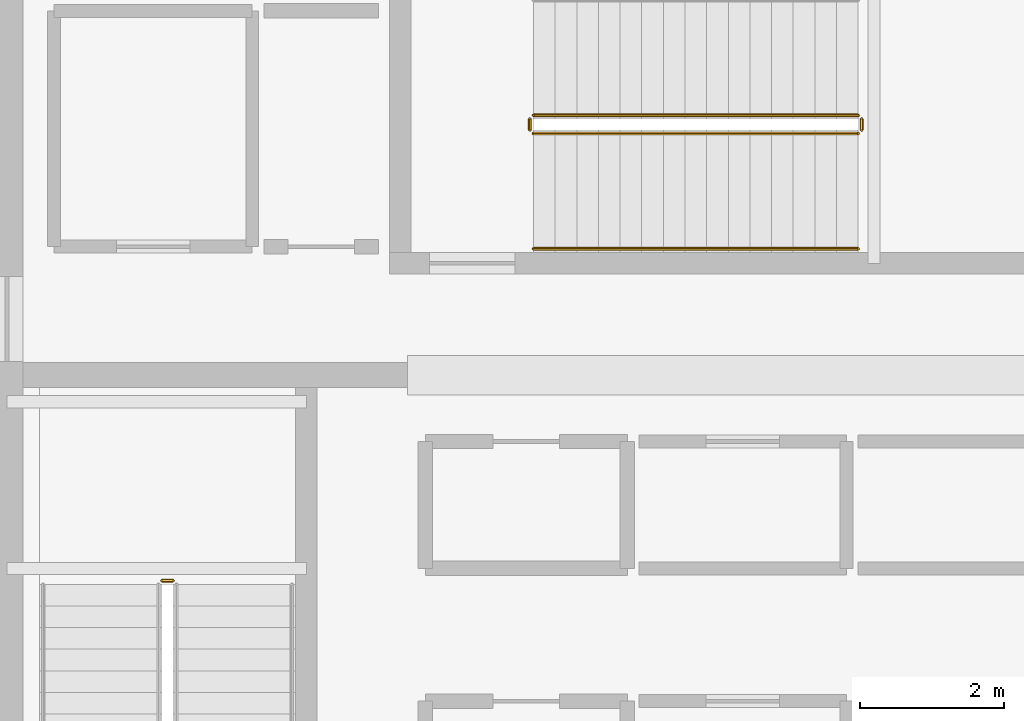
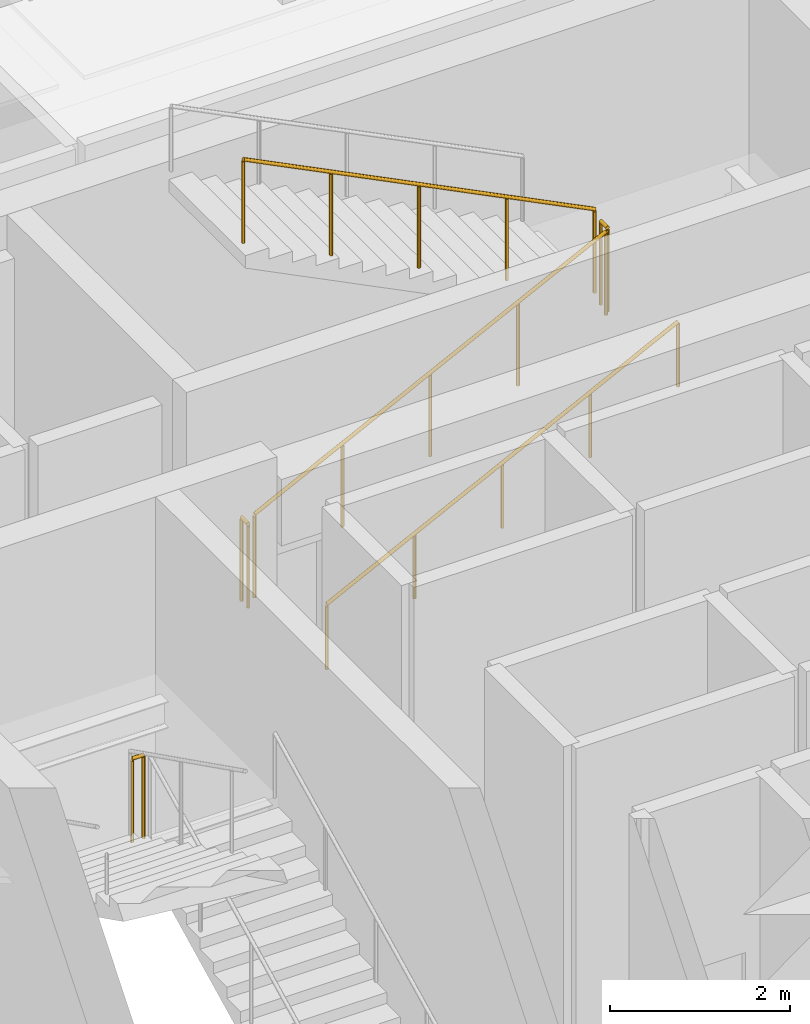
# One storey, part 43 of 45: 6 railings.
"""IFC4 building model written with IfcOpenShell, lengths in metres."""

from ifc_helpers import new_model, si_unit, direction, frame, origin, origin_2d, place, context, subcontext, project, spatial, circle, extrude, material, type_object, element, save


model = new_model("IFC4")

# Units and contexts
model_context = context("Model", 3, precision=1e-05, world=origin(), true_north=direction((0.0, 1.0)))
body_context = subcontext(model_context, "Body", "Model", "MODEL_VIEW")
ifc_project = project(units=[si_unit("LENGTHUNIT", "METRE"), si_unit("AREAUNIT", "SQUARE_METRE"), si_unit("VOLUMEUNIT", "CUBIC_METRE"), si_unit("PLANEANGLEUNIT", "RADIAN"), si_unit("MASSUNIT", "GRAM", prefix="KILO")], contexts=[model_context])

# Site, building, storey
site_placement = place(None, origin())
site = spatial("IfcSite", under=ifc_project, at=site_placement, CompositionType="ELEMENT")
building_placement = place(site_placement, origin())
building = spatial("IfcBuilding", under=site, at=building_placement, Name="Punatoya Terracotta Tower", CompositionType="ELEMENT")
storey_placement = place(building_placement, frame((0.0, 0.0, 339.0)))
storey = spatial("IfcBuildingStorey", under=building, at=storey_placement, Name="L80", CompositionType="ELEMENT", Elevation=339.0)

# Railings
ifc_material = material(Name="Steel S355", Category="steel")
railing_type_1 = type_object("IfcRailingType", Name="RLG-GRD-1150", PredefinedType="GUARDRAIL", material=ifc_material)
railing_1_placement = place(storey_placement, frame((-7.89990234375, 0.75, 2.39990234375)))
element("IfcRailing", 1, at=railing_1_placement, inside=storey, type_object=railing_type_1, Name="L80 ST-1 stair guard 2", PredefinedType="GUARDRAIL", context=body_context, shape_type="SweptSolid", body=[
    extrude(circle(Radius=0.02392578125, at=origin_2d()), frame((0.0, 0.0, 1.1259765625), z_axis=(-1.0, 0.0, 0.0), x_axis=(0.0, -1.0, 0.0)), (0.0, 0.0, 1.0), 0.150146484375),
    extrude(circle(Radius=0.02099609375, at=origin_2d()), origin(), (0.0, 0.0, 1.0), 1.101806640625),
    extrude(circle(Radius=0.02099609375, at=origin_2d()), frame((-0.150146484375, 0.0, 0.0)), (0.0, 0.0, 1.0), 1.101806640625),
])
railing_2_placement = place(storey_placement, frame((-2.89990234375, 6.949951171875, 0.14990234375)))
element("IfcRailing", 2, at=railing_2_placement, inside=storey, type_object=railing_type_1, Name="L80 ST-3 stair guard 1", PredefinedType="GUARDRAIL", context=body_context, shape_type="SweptSolid", body=[
    extrude(circle(Radius=0.02392578125, at=origin_2d()), frame((0.0, 0.0, 1.1259765625), z_axis=(0.894427191, 0.0, 0.4472135955), x_axis=(0.0, 1.0, 0.0)), (0.0, 0.0, 1.0), 5.03125),
    extrude(circle(Radius=0.02099609375, at=origin_2d()), origin(), (0.0, 0.0, 1.0), 1.101806640625),
    extrude(circle(Radius=0.02099609375, at=origin_2d()), frame((1.125, 0.0, 0.5625)), (0.0, 0.0, 1.0), 1.101806640625),
    extrude(circle(Radius=0.02099609375, at=origin_2d()), frame((2.25, 0.0, 1.125)), (0.0, 0.0, 1.0), 1.101806640625),
    extrude(circle(Radius=0.02099609375, at=origin_2d()), frame((3.375, 0.0, 1.6875)), (0.0, 0.0, 1.0), 1.101806640625),
    extrude(circle(Radius=0.02099609375, at=origin_2d()), frame((4.5, 0.0, 2.25)), (0.0, 0.0, 1.0), 1.101806640625),
])
railing_3_placement = place(storey_placement, frame((1.64990234375, 7.0, 2.39990234375)))
element("IfcRailing", 3, at=railing_3_placement, inside=storey, type_object=railing_type_1, Name="L80 ST-3 stair guard 2", PredefinedType="GUARDRAIL", context=body_context, shape_type="SweptSolid", body=[
    extrude(circle(Radius=0.02392578125, at=origin_2d()), frame((0.0, 0.0, 1.1259765625), z_axis=(0.0, 1.0, 0.0), x_axis=(-1.0, 0.0, 0.0)), (0.0, 0.0, 1.0), 0.14990234375),
    extrude(circle(Radius=0.02099609375, at=origin_2d()), origin(), (0.0, 0.0, 1.0), 1.101806640625),
    extrude(circle(Radius=0.02099609375, at=origin_2d()), frame((0.0, 0.14990234375, 0.0)), (0.0, 0.0, 1.0), 1.101806640625),
])
railing_4_placement = place(storey_placement, frame((1.60009765625, 7.199951171875, 2.550048828125)))
element("IfcRailing", 4, at=railing_4_placement, inside=storey, type_object=railing_type_1, Name="L80 ST-3 stair guard 3", PredefinedType="GUARDRAIL", context=body_context, shape_type="SweptSolid", body=[
    extrude(circle(Radius=0.02392578125, at=origin_2d()), frame((0.0, 0.0, 1.1259765625), z_axis=(-0.894427191, 0.0, 0.4472135955), x_axis=(0.0, -1.0, 0.0)), (0.0, 0.0, 1.0), 5.03125),
    extrude(circle(Radius=0.02099609375, at=origin_2d()), origin(), (0.0, 0.0, 1.0), 1.101806640625),
    extrude(circle(Radius=0.02099609375, at=origin_2d()), frame((-1.125, 0.0, 0.5625)), (0.0, 0.0, 1.0), 1.101806640625),
    extrude(circle(Radius=0.02099609375, at=origin_2d()), frame((-2.25, 0.0, 1.125)), (0.0, 0.0, 1.0), 1.101806640625),
    extrude(circle(Radius=0.02099609375, at=origin_2d()), frame((-3.375, 0.0, 1.6875)), (0.0, 0.0, 1.0), 1.101806640625),
    extrude(circle(Radius=0.02099609375, at=origin_2d()), frame((-4.5, 0.0, 2.25)), (0.0, 0.0, 1.0), 1.101806640625),
])
railing_5_placement = place(storey_placement, frame((-2.949951171875, 7.0, 0.0)))
element("IfcRailing", 5, at=railing_5_placement, inside=storey, type_object=railing_type_1, Name="L80 ST-3 stair guard 4", PredefinedType="GUARDRAIL", context=body_context, shape_type="SweptSolid", body=[
    extrude(circle(Radius=0.02392578125, at=origin_2d()), frame((0.0, 0.0, 1.1259765625), z_axis=(0.0, 1.0, 0.0), x_axis=(-1.0, 0.0, 0.0)), (0.0, 0.0, 1.0), 0.14990234375),
    extrude(circle(Radius=0.02099609375, at=origin_2d()), origin(), (0.0, 0.0, 1.0), 1.101806640625),
    extrude(circle(Radius=0.02099609375, at=origin_2d()), frame((0.0, 0.14990234375, 0.0)), (0.0, 0.0, 1.0), 1.101806640625),
])
railing_type_2 = type_object("IfcRailingType", Name="RLG-HND-900", PredefinedType="HANDRAIL", material=ifc_material)
railing_6_placement = place(storey_placement, frame((-2.89990234375, 5.35009765625, 0.14990234375)))
element("IfcRailing", 6, at=railing_6_placement, inside=storey, type_object=railing_type_2, Name="L80 ST-3 stair handrail 1", PredefinedType="HANDRAIL", context=body_context, shape_type="SweptSolid", body=[
    extrude(circle(Radius=0.02392578125, at=origin_2d()), frame((0.0, 0.0, 0.8759765625), z_axis=(0.894427191, 0.0, 0.4472135955), x_axis=(0.0, 1.0, 0.0)), (0.0, 0.0, 1.0), 5.03125),
    extrude(circle(Radius=0.02099609375, at=origin_2d()), origin(), (0.0, 0.0, 1.0), 0.851806640625),
    extrude(circle(Radius=0.02099609375, at=origin_2d()), frame((1.125, 0.0, 0.5625)), (0.0, 0.0, 1.0), 0.851806640625),
    extrude(circle(Radius=0.02099609375, at=origin_2d()), frame((2.25, 0.0, 1.125)), (0.0, 0.0, 1.0), 0.851806640625),
    extrude(circle(Radius=0.02099609375, at=origin_2d()), frame((3.375, 0.0, 1.6875)), (0.0, 0.0, 1.0), 0.851806640625),
    extrude(circle(Radius=0.02099609375, at=origin_2d()), frame((4.5, 0.0, 2.25)), (0.0, 0.0, 1.0), 0.851806640625),
])

save(model, "model.ifc")
